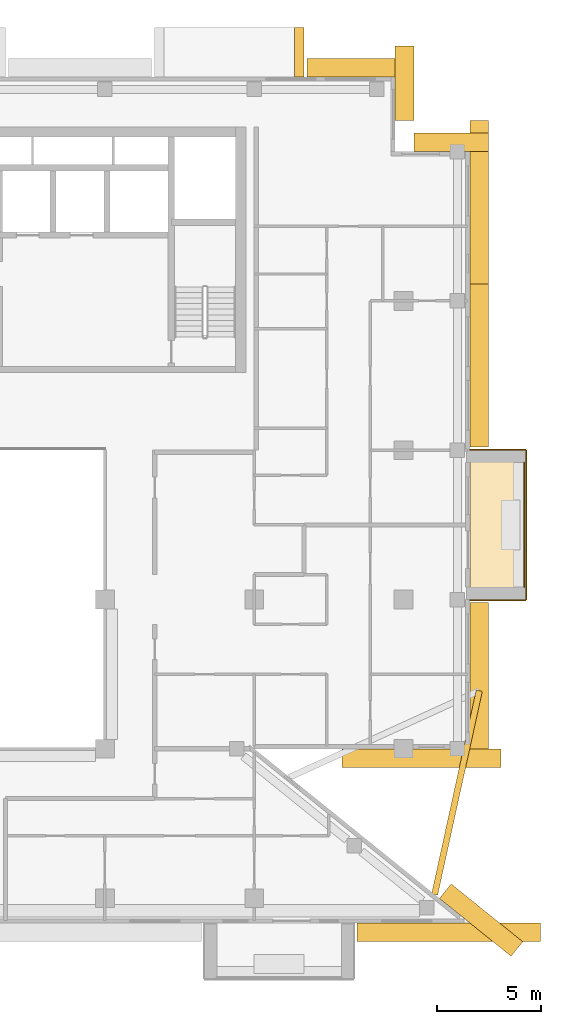
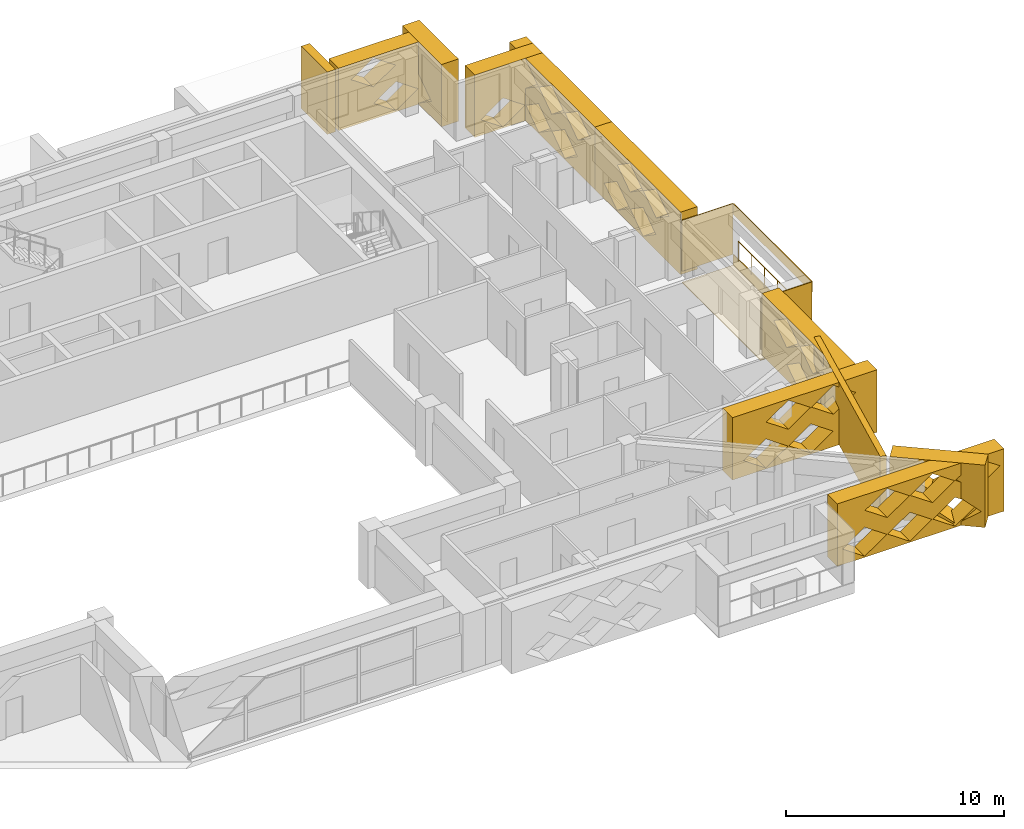
# One storey, part 19 of 19: 16 coverings, 1 railing.
"""IFC4 building model written with IfcOpenShell, lengths in metres."""

from ifc_helpers import new_model, si_unit, direction, frame, origin, origin_2d, place, context, subcontext, project, spatial, polyline, circle, outline, extrude, material, layer, layer_set, type_object, element, save


model = new_model("IFC4")

# Units and contexts
model_context = context("Model", 3, precision=1e-05, world=origin(), true_north=direction((0.0, 1.0)))
body_context = subcontext(model_context, "Body", "Model", "MODEL_VIEW")
ifc_project = project(units=[si_unit("LENGTHUNIT", "METRE"), si_unit("AREAUNIT", "SQUARE_METRE"), si_unit("VOLUMEUNIT", "CUBIC_METRE"), si_unit("PLANEANGLEUNIT", "RADIAN"), si_unit("MASSUNIT", "GRAM", prefix="KILO")], contexts=[model_context])

# Site, building, storey
site_placement = place(None, origin())
site = spatial("IfcSite", under=ifc_project, at=site_placement, CompositionType="ELEMENT")
building_placement = place(site_placement, origin())
building = spatial("IfcBuilding", under=site, at=building_placement, Name="Saffron Iwan Residences", CompositionType="ELEMENT")
storey_placement = place(building_placement, frame((0.0, 0.0, 218.5)))
storey = spatial("IfcBuildingStorey", under=building, at=storey_placement, Name="L58", CompositionType="ELEMENT", Elevation=218.5)

# Railing
ifc_material_1 = material(Name="Stainless steel 316", Category="steel")
railing_type = type_object("IfcRailingType", Name="BALCONY GUARD 1150", PredefinedType="GUARDRAIL", material=ifc_material_1)
railing_placement = place(storey_placement, frame((85.02490234375, 55.800048828125, 0.0)))
element("IfcRailing", 1, at=railing_placement, inside=storey, type_object=railing_type, Name="Balcony guard L58 F2-0", PredefinedType="GUARDRAIL", context=body_context, shape_type="SweptSolid", body=[
    extrude(circle(Radius=0.02392578125, at=origin_2d()), frame((0.0, 0.0, 1.1259765625), z_axis=(0.0, 1.0, 0.0), x_axis=(-1.0, 0.0, 0.0)), (0.0, 0.0, 1.0), 6.0),
    extrude(circle(Radius=0.02099609375, at=origin_2d()), origin(), (0.0, 0.0, 1.0), 1.101806640625),
    extrude(circle(Radius=0.02099609375, at=origin_2d()), frame((0.0, 1.199951171875, 0.0)), (0.0, 0.0, 1.0), 1.101806640625),
    extrude(circle(Radius=0.02099609375, at=origin_2d()), frame((0.0, 2.39990234375, 0.0)), (0.0, 0.0, 1.0), 1.101806640625),
    extrude(circle(Radius=0.02099609375, at=origin_2d()), frame((0.0, 3.60009765625, 0.0)), (0.0, 0.0, 1.0), 1.101806640625),
    extrude(circle(Radius=0.02099609375, at=origin_2d()), frame((0.0, 4.800048828125, 0.0)), (0.0, 0.0, 1.0), 1.101806640625),
    extrude(circle(Radius=0.02099609375, at=origin_2d()), frame((0.0, 6.0, 0.0)), (0.0, 0.0, 1.0), 1.101806640625),
])

# Coverings
ifc_material_2 = material(Name="Precast concrete C40/50 white painted", Category="concrete")
ifc_layer_1 = layer(ifc_material_2, 0.050048828125)
ifc_layer_set_1 = layer_set([ifc_layer_1], Name="Precast concrete C40/50 white painted")
covering_type_1 = type_object("IfcCoveringType", Name="FRAME SKIN PRECAST WHITE 50", PredefinedType="CLADDING", material=ifc_layer_set_1)
for number, where, name in (
    (2, (0.0, 0.0, -0.60009765625), "Frame skin slab edge L58 F2-0"),
    (3, (0.0, 0.0, 2.25), "Frame skin fascia L58 F2-0"),
):
    element("IfcCovering", number, at=place(storey_placement, frame(where)), inside=storey, type_object=covering_type_1, Name=name, PredefinedType="CLADDING", context=body_context, shape_type="SweptSolid", body=[
        extrude(outline(polyline([(85.14990234375, 55.199951171875), (85.14990234375, 62.39990234375), (85.10009765625, 62.39990234375), (85.10009765625, 55.199951171875), (85.14990234375, 55.199951171875)])), origin(), (0.0, 0.0, 1.0), 0.60009765625),
    ])
covering_1_placement = place(storey_placement, frame((0.0, 0.0, -0.64990234375)))
element("IfcCovering", 4, at=covering_1_placement, inside=storey, type_object=covering_type_1, Name="Frame skin soffit L58 F2-0", PredefinedType="CLADDING", context=body_context, shape_type="SweptSolid", body=[
    extrude(outline(polyline([(85.10009765625, 55.199951171875), (85.10009765625, 62.39990234375), (82.39990234375, 62.39990234375), (82.39990234375, 55.199951171875), (85.10009765625, 55.199951171875)])), origin(), (0.0, 0.0, 1.0), 0.0498046875),
])
covering_2_placement = place(storey_placement, origin())
element("IfcCovering", 5, at=covering_2_placement, inside=storey, type_object=covering_type_1, Name="Frame skin fin L58 F2-0a", PredefinedType="CLADDING", context=body_context, shape_type="SweptSolid", body=[
    extrude(outline(polyline([(85.10009765625, 55.14990234375), (85.10009765625, 55.199951171875), (82.39990234375, 55.199951171875), (82.39990234375, 55.14990234375), (85.10009765625, 55.14990234375)])), origin(), (0.0, 0.0, 1.0), 2.85009765625),
])
covering_3_placement = place(storey_placement, origin())
element("IfcCovering", 6, at=covering_3_placement, inside=storey, type_object=covering_type_1, Name="Frame skin fin L58 F2-0b", PredefinedType="CLADDING", context=body_context, shape_type="SweptSolid", body=[
    extrude(outline(polyline([(85.10009765625, 62.39990234375), (85.10009765625, 62.449951171875), (82.39990234375, 62.449951171875), (82.39990234375, 62.39990234375), (85.10009765625, 62.39990234375)])), origin(), (0.0, 0.0, 1.0), 2.85009765625),
])
ifc_material_3 = material(Name="Precast concrete C40/50", Category="concrete")
covering_type_2 = type_object("IfcCoveringType", Name="OUTER SKIN LATTICE SCREEN", PredefinedType="CLADDING", material=ifc_material_3)
covering_4_placement = place(storey_placement, frame((84.387939453125, 37.994384765625, -0.280029296875), z_axis=(0.628558089533, 0.777762642509, 0.0), x_axis=(-0.777762642509, 0.628558089533, 0.0)))
element("IfcCovering", 7, at=covering_4_placement, inside=storey, type_object=covering_type_2, Name="OUTER SKIN lattice screen L58 F0.0", PredefinedType="CLADDING", context=body_context, shape_type="SweptSolid", body=[
    extrude(outline(polyline([(0.0, 0.0), (4.439697265625, 0.0), (4.439697265625, 3.5), (0.0, 3.5), (0.0, 0.0)]), holes=[polyline([(0.175537109375, 0.875), (1.35546875, 0.06005859375), (2.535400390625, 0.875), (1.35546875, 1.68994140625), (0.175537109375, 0.875)]), polyline([(1.37548828125, 2.625), (2.555419921875, 1.81005859375), (3.735595703125, 2.625), (2.555419921875, 3.43994140625), (1.37548828125, 2.625)])]), origin(), (0.0, 0.0, 1.0), 0.89990234375),
])
covering_5_placement = place(storey_placement, frame((76.235595703125, 48.0, -0.280029296875), z_axis=(0.0, -1.0, 0.0), x_axis=(1.0, 0.0, 0.0)))
element("IfcCovering", 8, at=covering_5_placement, inside=storey, type_object=covering_type_2, Name="OUTER SKIN lattice screen L58 F1.0", PredefinedType="CLADDING", context=body_context, shape_type="SweptSolid", body=[
    extrude(outline(polyline([(0.0, 0.0), (7.66455078125, 0.0), (7.66455078125, 3.5), (0.0, 3.5), (0.0, 0.0)]), holes=[polyline([(0.58447265625, 0.875), (1.764404296875, 0.06005859375), (2.944580078125, 0.875), (1.764404296875, 1.68994140625), (0.58447265625, 0.875)]), polyline([(2.984619140625, 0.875), (4.16455078125, 0.06005859375), (5.344482421875, 0.875), (4.16455078125, 1.68994140625), (2.984619140625, 0.875)]), polyline([(1.784423828125, 2.625), (2.964599609375, 1.81005859375), (4.14453125, 2.625), (2.964599609375, 3.43994140625), (1.784423828125, 2.625)]), polyline([(4.1845703125, 2.625), (5.364501953125, 1.81005859375), (6.54443359375, 2.625), (5.364501953125, 3.43994140625), (4.1845703125, 2.625)])]), origin(), (0.0, 0.0, 1.0), 0.89990234375),
])
covering_6_placement = place(storey_placement, frame((82.39990234375, 47.10009765625, -0.280029296875), z_axis=(1.0, 0.0, 0.0), x_axis=(0.0, 1.0, 0.0)))
element("IfcCovering", 9, at=covering_6_placement, inside=storey, type_object=covering_type_2, Name="OUTER SKIN lattice screen L58 F2.0", PredefinedType="CLADDING", context=body_context, shape_type="SweptSolid", body=[
    extrude(outline(polyline([(0.0, 0.0), (7.949951171875, 0.0), (7.949951171875, 3.5), (0.0, 3.5), (0.0, 0.0)]), holes=[polyline([(0.919921875, 0.875), (2.10009765625, 0.06005859375), (3.280029296875, 0.875), (2.10009765625, 1.68994140625), (0.919921875, 0.875)]), polyline([(3.320068359375, 0.875), (4.5, 0.06005859375), (5.679931640625, 0.875), (4.5, 1.68994140625), (3.320068359375, 0.875)]), polyline([(2.1201171875, 2.625), (3.300048828125, 1.81005859375), (4.47998046875, 2.625), (3.300048828125, 3.43994140625), (2.1201171875, 2.625)]), polyline([(4.52001953125, 2.625), (5.699951171875, 1.81005859375), (6.8798828125, 2.625), (5.699951171875, 3.43994140625), (4.52001953125, 2.625)])]), origin(), (0.0, 0.0, 1.0), 0.900146484375),
])
covering_7_placement = place(storey_placement, frame((82.39990234375, 62.550048828125, -0.280029296875), z_axis=(1.0, 0.0, 0.0), x_axis=(0.0, 1.0, 0.0)))
element("IfcCovering", 10, at=covering_7_placement, inside=storey, type_object=covering_type_2, Name="OUTER SKIN lattice screen L58 F2.1", PredefinedType="CLADDING", context=body_context, shape_type="SweptSolid", body=[
    extrude(outline(polyline([(0.0, 0.0), (7.875, 0.0), (7.875, 3.5), (0.0, 3.5), (0.0, 0.0)]), holes=[polyline([(2.27001953125, 0.875), (3.449951171875, 0.06005859375), (4.6298828125, 0.875), (3.449951171875, 1.68994140625), (2.27001953125, 0.875)]), polyline([(4.669921875, 0.875), (5.85009765625, 0.06005859375), (7.030029296875, 0.875), (5.85009765625, 1.68994140625), (4.669921875, 0.875)]), polyline([(1.070068359375, 2.625), (2.25, 1.81005859375), (3.429931640625, 2.625), (2.25, 3.43994140625), (1.070068359375, 2.625)]), polyline([(3.469970703125, 2.625), (4.64990234375, 1.81005859375), (5.830078125, 2.625), (4.64990234375, 3.43994140625), (3.469970703125, 2.625)])]), origin(), (0.0, 0.0, 1.0), 0.900146484375),
])
covering_8_placement = place(storey_placement, frame((82.39990234375, 70.425048828125, -0.280029296875), z_axis=(1.0, 0.0, 0.0), x_axis=(0.0, 1.0, 0.0)))
element("IfcCovering", 11, at=covering_8_placement, inside=storey, type_object=covering_type_2, Name="OUTER SKIN lattice screen L58 F2.2", PredefinedType="CLADDING", context=body_context, shape_type="SweptSolid", body=[
    extrude(outline(polyline([(0.0, 0.0), (7.875, 0.0), (7.875, 3.5), (0.0, 3.5), (0.0, 0.0)]), holes=[polyline([(1.594970703125, 0.875), (2.77490234375, 0.06005859375), (3.955078125, 0.875), (2.77490234375, 1.68994140625), (1.594970703125, 0.875)]), polyline([(3.9951171875, 0.875), (5.175048828125, 0.06005859375), (6.35498046875, 0.875), (5.175048828125, 1.68994140625), (3.9951171875, 0.875)]), polyline([(0.39501953125, 2.625), (1.574951171875, 1.81005859375), (2.7548828125, 2.625), (1.574951171875, 3.43994140625), (0.39501953125, 2.625)]), polyline([(2.794921875, 2.625), (3.97509765625, 1.81005859375), (5.155029296875, 2.625), (3.97509765625, 3.43994140625), (2.794921875, 2.625)]), polyline([(5.195068359375, 2.625), (6.375, 1.81005859375), (7.554931640625, 2.625), (6.375, 3.43994140625), (5.195068359375, 2.625)])]), origin(), (0.0, 0.0, 1.0), 0.900146484375),
])
for number, where, z_axis, x_axis, name in (
    (12, (83.300048828125, 76.800048828125, -0.280029296875), (0.0, 1.0, 0.0), (-1.0, 0.0, 0.0), "OUTER SKIN lattice screen L58 F3.0"),
    (13, (78.800048828125, 78.300048828125, -0.280029296875), (1.0, 0.0, 0.0), (0.0, 1.0, 0.0), "OUTER SKIN lattice screen L58 F4.0"),
):
    element("IfcCovering", number, at=place(storey_placement, frame(where, z_axis=z_axis, x_axis=x_axis)), inside=storey, type_object=covering_type_2, Name=name, PredefinedType="CLADDING", context=body_context, shape_type="SweptSolid", body=[
        extrude(outline(polyline([(0.0, 0.0), (3.60009765625, 0.0), (3.60009765625, 3.5), (0.0, 3.5), (0.0, 0.0)]), holes=[polyline([(0.919921875, 0.875), (2.10009765625, 0.06005859375), (3.280029296875, 0.875), (2.10009765625, 1.68994140625), (0.919921875, 0.875)])]), origin(), (0.0, 0.0, 1.0), 0.89990234375),
    ])
covering_9_placement = place(storey_placement, frame((79.699951171875, 80.39990234375, -0.280029296875), z_axis=(0.0, 1.0, 0.0), x_axis=(-1.0, 0.0, 0.0)))
element("IfcCovering", 14, at=covering_9_placement, inside=storey, type_object=covering_type_2, Name="OUTER SKIN lattice screen L58 F5.0", PredefinedType="CLADDING", context=body_context, shape_type="SweptSolid", body=[
    extrude(outline(polyline([(0.0, 0.0), (5.14990234375, 0.0), (5.14990234375, 3.5), (0.0, 3.5), (0.0, 0.0)]), holes=[polyline([(0.919921875, 0.875), (2.10009765625, 0.06005859375), (3.280029296875, 0.875), (2.10009765625, 1.68994140625), (0.919921875, 0.875)]), polyline([(2.1201171875, 2.625), (3.300048828125, 1.81005859375), (4.47998046875, 2.625), (3.300048828125, 3.43994140625), (2.1201171875, 2.625)])]), origin(), (0.0, 0.0, 1.0), 0.900146484375),
])
covering_10_placement = place(storey_placement, frame((76.949951171875, 39.60009765625, -0.280029296875), z_axis=(0.0, -1.0, 0.0), x_axis=(1.0, 0.0, 0.0)))
element("IfcCovering", 15, at=covering_10_placement, inside=storey, type_object=covering_type_2, Name="OUTER SKIN lattice screen L58 F11.3", PredefinedType="CLADDING", context=body_context, shape_type="SweptSolid", body=[
    extrude(outline(polyline([(0.0, 0.0), (8.845458984375, 0.0), (8.845458984375, 3.5), (0.0, 3.5), (0.0, 0.0)]), holes=[polyline([(0.27001953125, 0.875), (1.449951171875, 0.06005859375), (2.6298828125, 0.875), (1.449951171875, 1.68994140625), (0.27001953125, 0.875)]), polyline([(2.669921875, 0.875), (3.85009765625, 0.06005859375), (5.030029296875, 0.875), (3.85009765625, 1.68994140625), (2.669921875, 0.875)]), polyline([(5.070068359375, 0.875), (6.25, 0.06005859375), (7.429931640625, 0.875), (6.25, 1.68994140625), (5.070068359375, 0.875)]), polyline([(1.469970703125, 2.625), (2.64990234375, 1.81005859375), (3.830078125, 2.625), (2.64990234375, 3.43994140625), (1.469970703125, 2.625)]), polyline([(3.8701171875, 2.625), (5.050048828125, 1.81005859375), (6.22998046875, 2.625), (5.050048828125, 3.43994140625), (3.8701171875, 2.625)]), polyline([(6.27001953125, 2.625), (7.449951171875, 1.81005859375), (8.6298828125, 2.625), (7.449951171875, 3.43994140625), (6.27001953125, 2.625)])]), origin(), (0.0, 0.0, 1.0), 0.900146484375),
])
ifc_layer_2 = layer(ifc_material_2, 0.300048828125)
ifc_layer_set_2 = layer_set([ifc_layer_2], Name="Precast concrete C40/50 white painted")
covering_type_3 = type_object("IfcCoveringType", Name="PROW NOSE BLADE PRECAST WHITE", PredefinedType="CLADDING", material=ifc_layer_set_2)
covering_11_placement = place(storey_placement, frame((0.0, 0.0, -0.280029296875)))
element("IfcCovering", 16, at=covering_11_placement, inside=storey, type_object=covering_type_3, Name="Prow nose blade L58 a", PredefinedType="CLADDING", context=body_context, shape_type="SweptSolid", body=[
    extrude(outline(polyline([(80.847412109375, 40.9404296875), (83.001708984375, 50.769287109375), (82.70849609375, 50.83349609375), (80.55419921875, 41.004638671875), (80.847412109375, 40.9404296875)])), origin(), (0.0, 0.0, 1.0), 3.5),
])
covering_type_4 = type_object("IfcCoveringType", Name="WHITE SUN FRAME PRECAST", PredefinedType="CLADDING", material=ifc_material_2)
covering_12_placement = place(storey_placement, frame((74.39990234375, 80.39990234375, -0.280029296875), z_axis=(0.0, 1.0, 0.0), x_axis=(-1.0, 0.0, 0.0)))
element("IfcCovering", 17, at=covering_12_placement, inside=storey, type_object=covering_type_4, Name="Sun frame L58 F5 4.4a", PredefinedType="CLADDING", context=body_context, shape_type="SweptSolid", body=[
    extrude(outline(polyline([(0.0, 0.0), (0.449951171875, 0.0), (0.449951171875, 3.5), (0.0, 3.5), (0.0, 0.0)])), origin(), (0.0, 0.0, 1.0), 2.400146484375),
])

save(model, "model.ifc")
